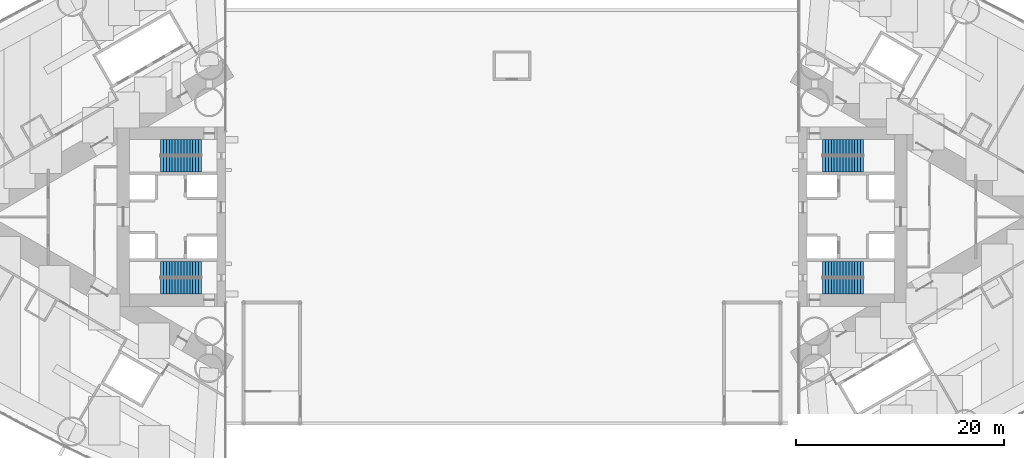
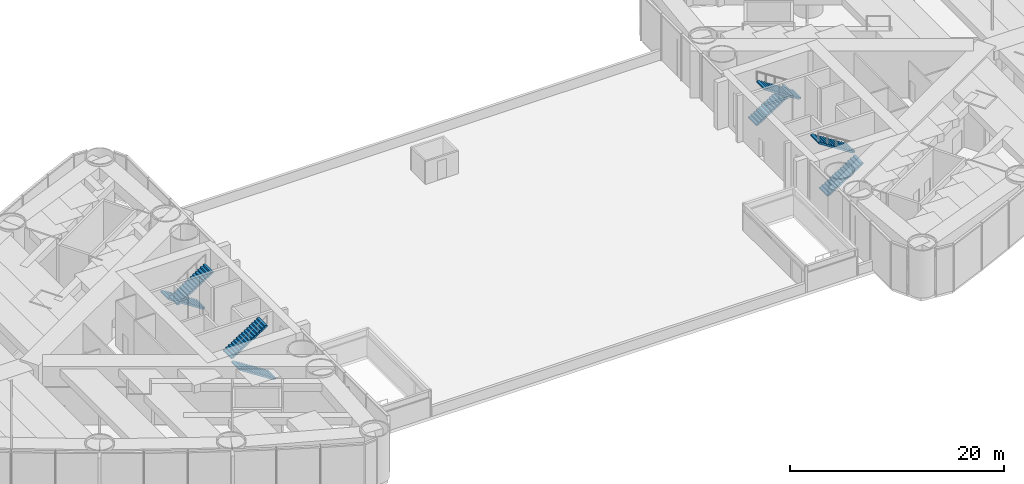
# One storey, part 22 of 23: 8 stair flights, 4 elements without a shape of their own.
"""IFC4 building model written with IfcOpenShell, lengths in metres."""

from ifc_helpers import new_model, si_unit, direction, frame, origin, place, context, subcontext, project, spatial, polyline, outline, extrude, material, type_object, element, aggregate, save


model = new_model("IFC4")

# Units and contexts
model_context = context("Model", 3, precision=1e-05, world=origin(), true_north=direction((0.0, 1.0)))
body_context = subcontext(model_context, "Body", "Model", "MODEL_VIEW")
ifc_project = project(units=[si_unit("LENGTHUNIT", "METRE"), si_unit("AREAUNIT", "SQUARE_METRE"), si_unit("VOLUMEUNIT", "CUBIC_METRE"), si_unit("PLANEANGLEUNIT", "RADIAN"), si_unit("MASSUNIT", "GRAM", prefix="KILO")], contexts=[model_context])

# Site, building, storey
site_placement = place(None, origin())
site = spatial("IfcSite", under=ifc_project, at=site_placement, CompositionType="ELEMENT")
building_placement = place(site_placement, origin())
building = spatial("IfcBuilding", under=site, at=building_placement, Name="Lancet Gate Hotel", CompositionType="ELEMENT")
storey_placement = place(building_placement, frame((0.0, 0.0, 12.60009765625)))
storey = spatial("IfcBuildingStorey", under=building, at=storey_placement, Name="L02", CompositionType="ELEMENT", Elevation=12.60009765625)

# Stair, stair flights
ifc_material_1 = material(Name="Exit stair 30 risers 1500")
stair_type = type_object("IfcStairType", Name="Exit stair 30 risers 1500", PredefinedType="HALF_TURN_STAIR", material=ifc_material_1)
stair_1_placement = place(storey_placement, origin())
stair_1 = element("IfcStair", 1, at=stair_1_placement, inside=storey, type_object=stair_type, Name="T1 stair 1 L02", PredefinedType="HALF_TURN_STAIR")
ifc_material_2 = material(Name="Stair flight 15 risers 180 rise 1500")
stair_flight_type = type_object("IfcStairFlightType", Name="Stair flight 15 risers 180 rise 1500", PredefinedType="STRAIGHT", material=ifc_material_2)
stair_flight_1_placement = place(storey_placement, frame((-29.800048828125, 6.64990234375, 0.0), z_axis=(0.0, 0.0, 1.0), x_axis=(-1.0, 0.0, 0.0)))
stair_flight_1 = element("IfcStairFlight", 2, at=stair_flight_1_placement, type_object=stair_flight_type, Name="ST1 flight 1", NumberOfRisers=15, NumberOfTreads=14, PredefinedType="STRAIGHT", RiserHeight=0.18, TreadLength=0.28, context=body_context, shape_type="SweptSolid", body=[
    extrude(outline(polyline([(0.0, 0.0), (0.0, 0.179931640625), (0.280029296875, 0.179931640625), (0.280029296875, 0.360107421875), (0.56005859375, 0.360107421875), (0.56005859375, 0.5400390625), (0.840087890625, 0.5400390625), (0.840087890625, 0.719970703125), (1.1201171875, 0.719970703125), (1.1201171875, 0.89990234375), (1.39990234375, 0.89990234375), (1.39990234375, 1.080078125), (1.679931640625, 1.080078125), (1.679931640625, 1.260009765625), (1.9599609375, 1.260009765625), (1.9599609375, 1.43994140625), (2.239990234375, 1.43994140625), (2.239990234375, 1.6201171875), (2.52001953125, 1.6201171875), (2.52001953125, 1.800048828125), (2.800048828125, 1.800048828125), (2.800048828125, 1.97998046875), (3.080078125, 1.97998046875), (3.080078125, 2.159912109375), (3.360107421875, 2.159912109375), (3.360107421875, 2.340087890625), (3.639892578125, 2.340087890625), (3.639892578125, 2.52001953125), (3.919921875, 2.52001953125), (3.919921875, 2.699951171875), (3.919921875, 2.341796875), (0.277099609375, 0.0), (0.0, 0.0)])), frame((0.0, 0.75, 0.0), z_axis=(0.0, -1.0, 0.0), x_axis=(1.0, 0.0, 0.0)), (0.0, 0.0, 1.0), 1.5),
])
stair_flight_2_placement = place(storey_placement, frame((-33.719970703125, 5.050048828125, 2.699951171875), z_axis=(0.0, 0.0, 1.0), x_axis=(1.0, 0.0, 0.0)))
stair_flight_2 = element("IfcStairFlight", 3, at=stair_flight_2_placement, type_object=stair_flight_type, Name="ST1 flight 2", NumberOfRisers=15, NumberOfTreads=14, PredefinedType="STRAIGHT", RiserHeight=0.18, TreadLength=0.28, context=body_context, shape_type="SweptSolid", body=[
    extrude(outline(polyline([(0.0, 0.0), (0.0, 0.179931640625), (0.280029296875, 0.179931640625), (0.280029296875, 0.360107421875), (0.56005859375, 0.360107421875), (0.56005859375, 0.5400390625), (0.840087890625, 0.5400390625), (0.840087890625, 0.719970703125), (1.1201171875, 0.719970703125), (1.1201171875, 0.89990234375), (1.39990234375, 0.89990234375), (1.39990234375, 1.080078125), (1.679931640625, 1.080078125), (1.679931640625, 1.260009765625), (1.9599609375, 1.260009765625), (1.9599609375, 1.43994140625), (2.239990234375, 1.43994140625), (2.239990234375, 1.6201171875), (2.52001953125, 1.6201171875), (2.52001953125, 1.800048828125), (2.800048828125, 1.800048828125), (2.800048828125, 1.97998046875), (3.080078125, 1.97998046875), (3.080078125, 2.159912109375), (3.360107421875, 2.159912109375), (3.360107421875, 2.340087890625), (3.639892578125, 2.340087890625), (3.639892578125, 2.52001953125), (3.919921875, 2.52001953125), (3.919921875, 2.699951171875), (3.919921875, 2.341796875), (0.277099609375, 0.0), (0.0, 0.0)])), frame((0.0, 0.75, 0.0), z_axis=(0.0, -1.0, 0.0), x_axis=(1.0, 0.0, 0.0)), (0.0, 0.0, 1.0), 1.5),
])
aggregate(stair_1, [stair_flight_1, stair_flight_2])

stair_2_placement = place(storey_placement, origin())
stair_2 = element("IfcStair", 4, at=stair_2_placement, inside=storey, type_object=stair_type, Name="T1 stair 2 L02", PredefinedType="HALF_TURN_STAIR")
stair_flight_3_placement = place(storey_placement, frame((-29.800048828125, -6.64990234375, 0.0), z_axis=(0.0, 0.0, 1.0), x_axis=(-1.0, 0.0, 0.0)))
stair_flight_3 = element("IfcStairFlight", 5, at=stair_flight_3_placement, type_object=stair_flight_type, Name="ST2 flight 1", NumberOfRisers=15, NumberOfTreads=14, PredefinedType="STRAIGHT", RiserHeight=0.18, TreadLength=0.28, context=body_context, shape_type="SweptSolid", body=[
    extrude(outline(polyline([(0.0, 0.0), (0.0, 0.179931640625), (0.280029296875, 0.179931640625), (0.280029296875, 0.360107421875), (0.56005859375, 0.360107421875), (0.56005859375, 0.5400390625), (0.840087890625, 0.5400390625), (0.840087890625, 0.719970703125), (1.1201171875, 0.719970703125), (1.1201171875, 0.89990234375), (1.39990234375, 0.89990234375), (1.39990234375, 1.080078125), (1.679931640625, 1.080078125), (1.679931640625, 1.260009765625), (1.9599609375, 1.260009765625), (1.9599609375, 1.43994140625), (2.239990234375, 1.43994140625), (2.239990234375, 1.6201171875), (2.52001953125, 1.6201171875), (2.52001953125, 1.800048828125), (2.800048828125, 1.800048828125), (2.800048828125, 1.97998046875), (3.080078125, 1.97998046875), (3.080078125, 2.159912109375), (3.360107421875, 2.159912109375), (3.360107421875, 2.340087890625), (3.639892578125, 2.340087890625), (3.639892578125, 2.52001953125), (3.919921875, 2.52001953125), (3.919921875, 2.699951171875), (3.919921875, 2.341796875), (0.277099609375, 0.0), (0.0, 0.0)])), frame((0.0, 0.75, 0.0), z_axis=(0.0, -1.0, 0.0), x_axis=(1.0, 0.0, 0.0)), (0.0, 0.0, 1.0), 1.5),
])
stair_flight_4_placement = place(storey_placement, frame((-33.719970703125, -5.050048828125, 2.699951171875), z_axis=(0.0, 0.0, 1.0), x_axis=(1.0, 0.0, 0.0)))
stair_flight_4 = element("IfcStairFlight", 6, at=stair_flight_4_placement, type_object=stair_flight_type, Name="ST2 flight 2", NumberOfRisers=15, NumberOfTreads=14, PredefinedType="STRAIGHT", RiserHeight=0.18, TreadLength=0.28, context=body_context, shape_type="SweptSolid", body=[
    extrude(outline(polyline([(0.0, 0.0), (0.0, 0.179931640625), (0.280029296875, 0.179931640625), (0.280029296875, 0.360107421875), (0.56005859375, 0.360107421875), (0.56005859375, 0.5400390625), (0.840087890625, 0.5400390625), (0.840087890625, 0.719970703125), (1.1201171875, 0.719970703125), (1.1201171875, 0.89990234375), (1.39990234375, 0.89990234375), (1.39990234375, 1.080078125), (1.679931640625, 1.080078125), (1.679931640625, 1.260009765625), (1.9599609375, 1.260009765625), (1.9599609375, 1.43994140625), (2.239990234375, 1.43994140625), (2.239990234375, 1.6201171875), (2.52001953125, 1.6201171875), (2.52001953125, 1.800048828125), (2.800048828125, 1.800048828125), (2.800048828125, 1.97998046875), (3.080078125, 1.97998046875), (3.080078125, 2.159912109375), (3.360107421875, 2.159912109375), (3.360107421875, 2.340087890625), (3.639892578125, 2.340087890625), (3.639892578125, 2.52001953125), (3.919921875, 2.52001953125), (3.919921875, 2.699951171875), (3.919921875, 2.341796875), (0.277099609375, 0.0), (0.0, 0.0)])), frame((0.0, 0.75, 0.0), z_axis=(0.0, -1.0, 0.0), x_axis=(1.0, 0.0, 0.0)), (0.0, 0.0, 1.0), 1.5),
])
aggregate(stair_2, [stair_flight_3, stair_flight_4])

stair_3_placement = place(storey_placement, origin())
stair_3 = element("IfcStair", 7, at=stair_3_placement, inside=storey, type_object=stair_type, Name="T2 stair 1 L02", PredefinedType="HALF_TURN_STAIR")
stair_flight_5_placement = place(storey_placement, frame((29.800048828125, -6.64990234375, 0.0), z_axis=(0.0, 0.0, 1.0), x_axis=(1.0, 0.0, 0.0)))
stair_flight_5 = element("IfcStairFlight", 8, at=stair_flight_5_placement, type_object=stair_flight_type, Name="ST3 flight 1", NumberOfRisers=15, NumberOfTreads=14, PredefinedType="STRAIGHT", RiserHeight=0.18, TreadLength=0.28, context=body_context, shape_type="SweptSolid", body=[
    extrude(outline(polyline([(0.0, 0.0), (0.0, 0.179931640625), (0.280029296875, 0.179931640625), (0.280029296875, 0.360107421875), (0.56005859375, 0.360107421875), (0.56005859375, 0.5400390625), (0.840087890625, 0.5400390625), (0.840087890625, 0.719970703125), (1.1201171875, 0.719970703125), (1.1201171875, 0.89990234375), (1.39990234375, 0.89990234375), (1.39990234375, 1.080078125), (1.679931640625, 1.080078125), (1.679931640625, 1.260009765625), (1.9599609375, 1.260009765625), (1.9599609375, 1.43994140625), (2.239990234375, 1.43994140625), (2.239990234375, 1.6201171875), (2.52001953125, 1.6201171875), (2.52001953125, 1.800048828125), (2.800048828125, 1.800048828125), (2.800048828125, 1.97998046875), (3.080078125, 1.97998046875), (3.080078125, 2.159912109375), (3.360107421875, 2.159912109375), (3.360107421875, 2.340087890625), (3.639892578125, 2.340087890625), (3.639892578125, 2.52001953125), (3.919921875, 2.52001953125), (3.919921875, 2.699951171875), (3.919921875, 2.341796875), (0.277099609375, 0.0), (0.0, 0.0)])), frame((0.0, 0.75, 0.0), z_axis=(0.0, -1.0, 0.0), x_axis=(1.0, 0.0, 0.0)), (0.0, 0.0, 1.0), 1.5),
])
stair_flight_6_placement = place(storey_placement, frame((33.719970703125, -5.050048828125, 2.699951171875), z_axis=(0.0, 0.0, 1.0), x_axis=(-1.0, 0.0, 0.0)))
stair_flight_6 = element("IfcStairFlight", 9, at=stair_flight_6_placement, type_object=stair_flight_type, Name="ST3 flight 2", NumberOfRisers=15, NumberOfTreads=14, PredefinedType="STRAIGHT", RiserHeight=0.18, TreadLength=0.28, context=body_context, shape_type="SweptSolid", body=[
    extrude(outline(polyline([(0.0, 0.0), (0.0, 0.179931640625), (0.280029296875, 0.179931640625), (0.280029296875, 0.360107421875), (0.56005859375, 0.360107421875), (0.56005859375, 0.5400390625), (0.840087890625, 0.5400390625), (0.840087890625, 0.719970703125), (1.1201171875, 0.719970703125), (1.1201171875, 0.89990234375), (1.39990234375, 0.89990234375), (1.39990234375, 1.080078125), (1.679931640625, 1.080078125), (1.679931640625, 1.260009765625), (1.9599609375, 1.260009765625), (1.9599609375, 1.43994140625), (2.239990234375, 1.43994140625), (2.239990234375, 1.6201171875), (2.52001953125, 1.6201171875), (2.52001953125, 1.800048828125), (2.800048828125, 1.800048828125), (2.800048828125, 1.97998046875), (3.080078125, 1.97998046875), (3.080078125, 2.159912109375), (3.360107421875, 2.159912109375), (3.360107421875, 2.340087890625), (3.639892578125, 2.340087890625), (3.639892578125, 2.52001953125), (3.919921875, 2.52001953125), (3.919921875, 2.699951171875), (3.919921875, 2.341796875), (0.277099609375, 0.0), (0.0, 0.0)])), frame((0.0, 0.75, 0.0), z_axis=(0.0, -1.0, 0.0), x_axis=(1.0, 0.0, 0.0)), (0.0, 0.0, 1.0), 1.5),
])
aggregate(stair_3, [stair_flight_5, stair_flight_6])

stair_4_placement = place(storey_placement, origin())
stair_4 = element("IfcStair", 10, at=stair_4_placement, inside=storey, type_object=stair_type, Name="T2 stair 2 L02", PredefinedType="HALF_TURN_STAIR")
stair_flight_7_placement = place(storey_placement, frame((29.800048828125, 6.64990234375, 0.0), z_axis=(0.0, 0.0, 1.0), x_axis=(1.0, 0.0, 0.0)))
stair_flight_7 = element("IfcStairFlight", 11, at=stair_flight_7_placement, type_object=stair_flight_type, Name="ST4 flight 1", NumberOfRisers=15, NumberOfTreads=14, PredefinedType="STRAIGHT", RiserHeight=0.18, TreadLength=0.28, context=body_context, shape_type="SweptSolid", body=[
    extrude(outline(polyline([(0.0, 0.0), (0.0, 0.179931640625), (0.280029296875, 0.179931640625), (0.280029296875, 0.360107421875), (0.56005859375, 0.360107421875), (0.56005859375, 0.5400390625), (0.840087890625, 0.5400390625), (0.840087890625, 0.719970703125), (1.1201171875, 0.719970703125), (1.1201171875, 0.89990234375), (1.39990234375, 0.89990234375), (1.39990234375, 1.080078125), (1.679931640625, 1.080078125), (1.679931640625, 1.260009765625), (1.9599609375, 1.260009765625), (1.9599609375, 1.43994140625), (2.239990234375, 1.43994140625), (2.239990234375, 1.6201171875), (2.52001953125, 1.6201171875), (2.52001953125, 1.800048828125), (2.800048828125, 1.800048828125), (2.800048828125, 1.97998046875), (3.080078125, 1.97998046875), (3.080078125, 2.159912109375), (3.360107421875, 2.159912109375), (3.360107421875, 2.340087890625), (3.639892578125, 2.340087890625), (3.639892578125, 2.52001953125), (3.919921875, 2.52001953125), (3.919921875, 2.699951171875), (3.919921875, 2.341796875), (0.277099609375, 0.0), (0.0, 0.0)])), frame((0.0, 0.75, 0.0), z_axis=(0.0, -1.0, 0.0), x_axis=(1.0, 0.0, 0.0)), (0.0, 0.0, 1.0), 1.5),
])
stair_flight_8_placement = place(storey_placement, frame((33.719970703125, 5.050048828125, 2.699951171875), z_axis=(0.0, 0.0, 1.0), x_axis=(-1.0, 0.0, 0.0)))
stair_flight_8 = element("IfcStairFlight", 12, at=stair_flight_8_placement, type_object=stair_flight_type, Name="ST4 flight 2", NumberOfRisers=15, NumberOfTreads=14, PredefinedType="STRAIGHT", RiserHeight=0.18, TreadLength=0.28, context=body_context, shape_type="SweptSolid", body=[
    extrude(outline(polyline([(0.0, 0.0), (0.0, 0.179931640625), (0.280029296875, 0.179931640625), (0.280029296875, 0.360107421875), (0.56005859375, 0.360107421875), (0.56005859375, 0.5400390625), (0.840087890625, 0.5400390625), (0.840087890625, 0.719970703125), (1.1201171875, 0.719970703125), (1.1201171875, 0.89990234375), (1.39990234375, 0.89990234375), (1.39990234375, 1.080078125), (1.679931640625, 1.080078125), (1.679931640625, 1.260009765625), (1.9599609375, 1.260009765625), (1.9599609375, 1.43994140625), (2.239990234375, 1.43994140625), (2.239990234375, 1.6201171875), (2.52001953125, 1.6201171875), (2.52001953125, 1.800048828125), (2.800048828125, 1.800048828125), (2.800048828125, 1.97998046875), (3.080078125, 1.97998046875), (3.080078125, 2.159912109375), (3.360107421875, 2.159912109375), (3.360107421875, 2.340087890625), (3.639892578125, 2.340087890625), (3.639892578125, 2.52001953125), (3.919921875, 2.52001953125), (3.919921875, 2.699951171875), (3.919921875, 2.341796875), (0.277099609375, 0.0), (0.0, 0.0)])), frame((0.0, 0.75, 0.0), z_axis=(0.0, -1.0, 0.0), x_axis=(1.0, 0.0, 0.0)), (0.0, 0.0, 1.0), 1.5),
])
aggregate(stair_4, [stair_flight_7, stair_flight_8])

save(model, "model.ifc")
